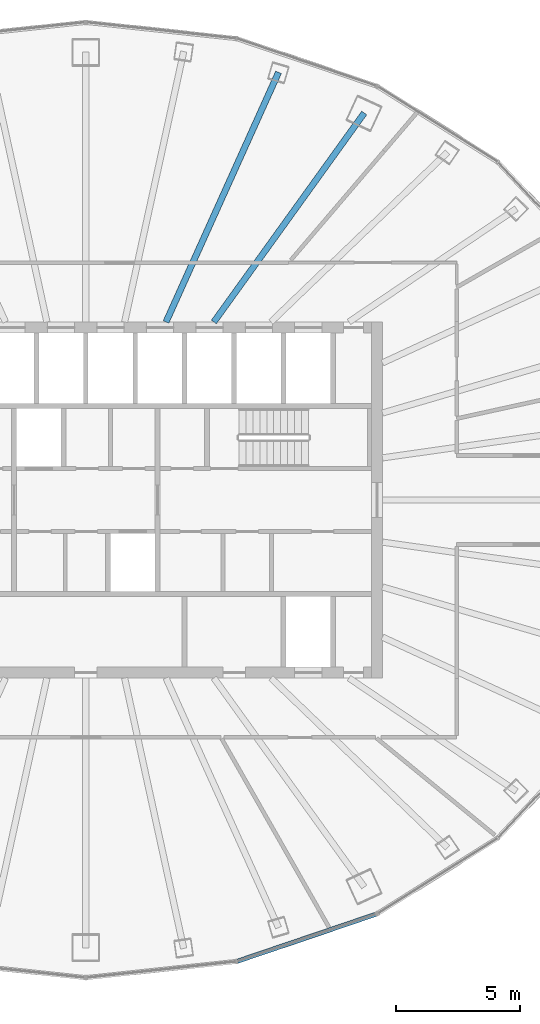
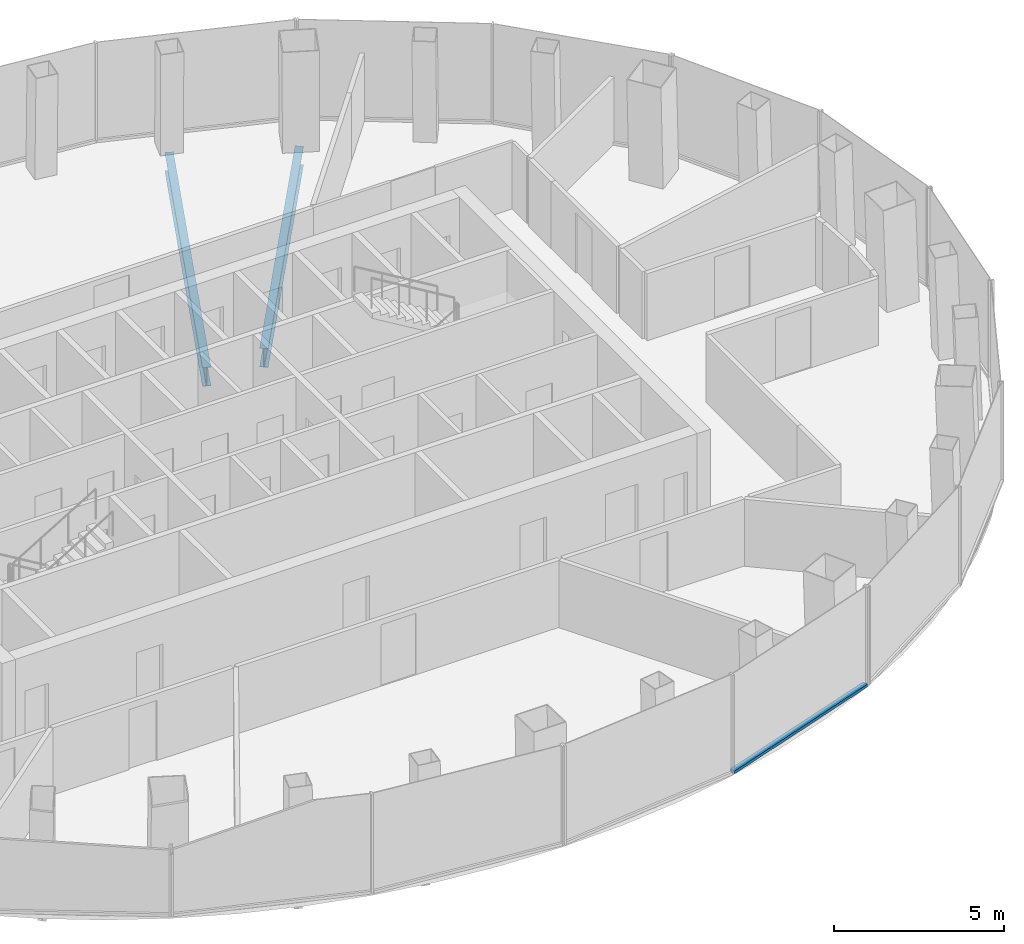
# One storey, part 5 of 13: 2 beams, 1 member, 1 element without a shape of its own.
"""IFC4 building model written with IfcOpenShell, lengths in metres."""

from ifc_helpers import new_model, si_unit, direction, frame, origin, origin_2d, place, context, subcontext, project, spatial, rectangle, i_section, extrude, material, layer, layer_set, material_profile, profile_set, type_object, element, aggregate, save


model = new_model("IFC4")

# Units and contexts
model_context = context("Model", 3, precision=1e-05, world=origin(), true_north=direction((0.0, 1.0)))
body_context = subcontext(model_context, "Body", "Model", "MODEL_VIEW")
ifc_project = project(units=[si_unit("LENGTHUNIT", "METRE"), si_unit("AREAUNIT", "SQUARE_METRE"), si_unit("VOLUMEUNIT", "CUBIC_METRE"), si_unit("PLANEANGLEUNIT", "RADIAN"), si_unit("MASSUNIT", "GRAM", prefix="KILO")], contexts=[model_context])

# Site, building, storey
site_placement = place(None, origin())
site = spatial("IfcSite", under=ifc_project, at=site_placement, CompositionType="ELEMENT")
building_placement = place(site_placement, origin())
building = spatial("IfcBuilding", under=site, at=building_placement, Name="Siaravel Broadcast Tower", CompositionType="ELEMENT")
storey_placement = place(building_placement, frame((0.0, 0.0, 175.60009765625)))
storey = spatial("IfcBuildingStorey", under=building, at=storey_placement, Name="L42", CompositionType="ELEMENT", Elevation=175.60009765625)

# Beams
ifc_material_1 = material(Name="Steel S355", Category="steel")
ifc_material_profile_1 = material_profile(ifc_material_1, i_section(OverallWidth=0.2529296875, OverallDepth=0.677978515625, WebThickness=0.01171875, FlangeThickness=0.01611328125, FilletRadius=0.01513671875, at=origin_2d()))
ifc_profile_set_1 = profile_set([ifc_material_profile_1], Name="Steel S355")
beam_type = type_object("IfcBeamType", Name="BM-UB 686x254x125", PredefinedType="BEAM", material=ifc_profile_set_1)
beam_1_placement = place(storey_placement, frame((11.261962890625, 15.650634765625, -0.489013671875), z_axis=(-0.584087257, -0.811690875, 0.0), x_axis=(0.811690875, -0.584087257, 0.0)))
element("IfcBeam", 1, at=beam_1_placement, inside=storey, type_object=beam_type, Name="Radial beam RB07", PredefinedType="BEAM", context=body_context, shape_type="SweptSolid", body=[
    extrude(i_section(OverallWidth=0.2529296875, OverallDepth=0.677978515625, WebThickness=0.01171875, FlangeThickness=0.01611328125, FilletRadius=0.01513671875, at=origin_2d()), origin(), (0.0, 0.0, 1.0), 10.4111328125),
])
beam_2_placement = place(storey_placement, frame((7.796875, 17.29443359375, -0.489013671875), z_axis=(-0.410985242, -0.911641997, 0.0), x_axis=(0.911641997, -0.410985242, 0.0)))
element("IfcBeam", 2, at=beam_2_placement, inside=storey, type_object=beam_type, Name="Radial beam RB08", PredefinedType="BEAM", context=body_context, shape_type="SweptSolid", body=[
    extrude(i_section(OverallWidth=0.2529296875, OverallDepth=0.677978515625, WebThickness=0.01171875, FlangeThickness=0.01611328125, FilletRadius=0.01513671875, at=origin_2d()), origin(), (0.0, 0.0, 1.0), 11.07275390625),
])

# Curtain wall, member
ifc_material_2 = material(Name="Aluminium 6063-T6", Category="aluminium")
ifc_layer = layer(ifc_material_2, 0.179931640625)
ifc_layer_set = layer_set([ifc_layer], Name="Aluminium 6063-T6")
curtain_wall_type = type_object("IfcCurtainWallType", Name="Unitised curtain wall, zone 3", PredefinedType="NOTDEFINED", material=ifc_layer_set)
curtain_wall_placement = place(storey_placement, origin())
curtain_wall = element("IfcCurtainWall", 3, at=curtain_wall_placement, inside=storey, type_object=curtain_wall_type, Name="L42 Unitised curtain wall, zone 3 10", PredefinedType="NOTDEFINED")
ifc_material_profile_2 = material_profile(ifc_material_2, rectangle(XDim=0.179931640625, YDim=0.10009765625, at=origin_2d()))
ifc_profile_set_2 = profile_set([ifc_material_profile_2], Name="Aluminium 6063-T6")
member_type = type_object("IfcMemberType", Name="CW-Z3 transom", PredefinedType="USERDEFINED", material=ifc_profile_set_2)
member_placement = place(storey_placement, frame((6.12890625, -18.655029296875, 0.0498046875), z_axis=(0.946972868, 0.321313534, 0.0), x_axis=(-0.321313534, 0.946972868, 0.0)))
member = element("IfcMember", 4, at=member_placement, type_object=member_type, Name="CW-Z3 transom 2", ObjectType="TRANSOM", PredefinedType="USERDEFINED", context=body_context, shape_type="SweptSolid", body=[
    extrude(rectangle(XDim=0.179931640625, YDim=0.10009765625, at=origin_2d()), origin(), (0.0, 0.0, 1.0), 5.91357421875),
])
aggregate(curtain_wall, [member])

save(model, "model.ifc")
